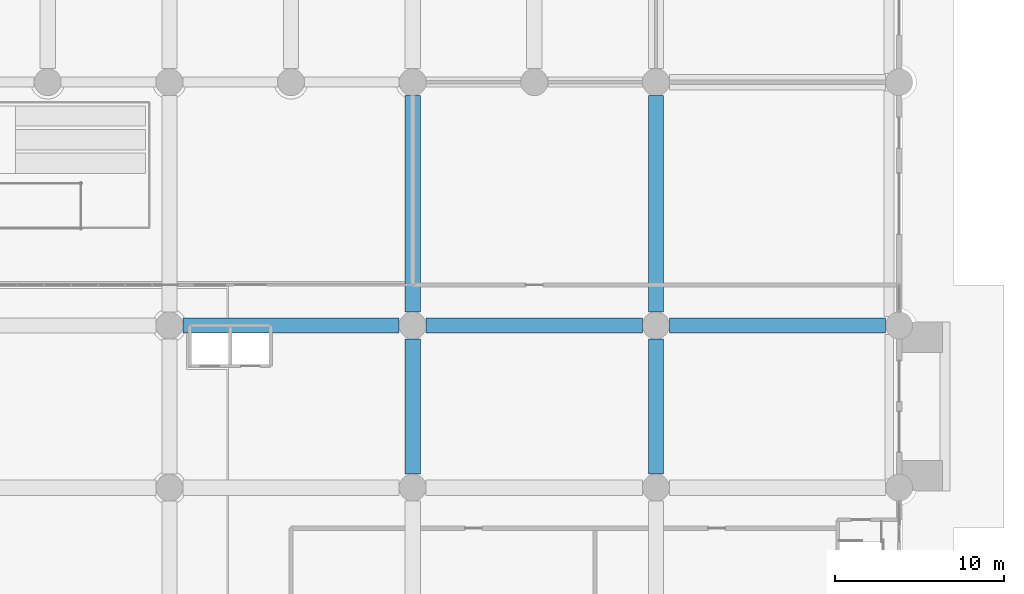
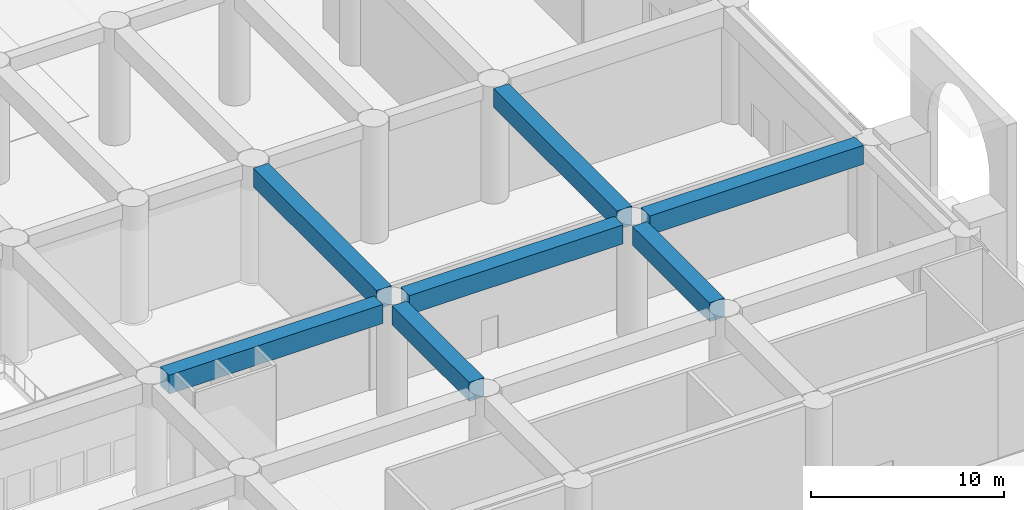
# One storey, part 6 of 32: 7 beams.
"""IFC4 building model written with IfcOpenShell, lengths in metres."""

from ifc_helpers import new_model, si_unit, direction, frame, origin, origin_2d, place, context, subcontext, project, spatial, rectangle, extrude, source, transform, mapped, material, material_profile, profile_set, type_object, element, save


model = new_model("IFC4")

# Units and contexts
model_context = context("Model", 3, precision=1e-05, world=origin(), true_north=direction((0.0, 1.0)))
body_context = subcontext(model_context, "Body", "Model", "MODEL_VIEW")
ifc_project = project(units=[si_unit("LENGTHUNIT", "METRE"), si_unit("AREAUNIT", "SQUARE_METRE"), si_unit("VOLUMEUNIT", "CUBIC_METRE"), si_unit("PLANEANGLEUNIT", "RADIAN"), si_unit("MASSUNIT", "GRAM", prefix="KILO")], contexts=[model_context])

# Site, building, storey
site_placement = place(None, origin())
site = spatial("IfcSite", under=ifc_project, at=site_placement, CompositionType="ELEMENT")
building_placement = place(site_placement, origin())
building = spatial("IfcBuilding", under=site, at=building_placement, Name="Saffron Iwan Residences", CompositionType="ELEMENT")
storey_placement = place(building_placement, origin())
storey = spatial("IfcBuildingStorey", under=building, at=storey_placement, Name="L00", CompositionType="ELEMENT", Elevation=0.0)

# Beams
ifc_material = material(Name="Concrete C50/60", Category="concrete")
ifc_material_profile = material_profile(ifc_material, rectangle(XDim=0.89990234375, YDim=1.199951171875, at=origin_2d()), Name="RC 900x1200")
ifc_profile_set = profile_set([ifc_material_profile], Name="Concrete C50/60")
beam_type = type_object("IfcBeamType", Name="BEAM RC 900x1200 C50/60 TOP 7400", PredefinedType="BEAM", material=ifc_profile_set)
shared_shape_1 = source(origin(), body_context, "Body", "SweptSolid", [
    extrude(rectangle(XDim=0.89990234375, YDim=1.199951171875, at=origin_2d()), origin(), (0.0, 0.0, 1.0), 8.0),
])
for number, where, z_axis, x_axis, name in (
    (1, (72.0, 10.39990234375, 6.800048828125), (0.0, 1.0, 0.0), (-1.0, 0.0, 0.0), "Floor beam"),
    (2, (86.39990234375, 10.39990234375, 6.800048828125), (0.0, 1.0, 0.0), (-1.0, 0.0, 0.0), "Floor beam"),
):
    element("IfcBeam", number, at=place(storey_placement, frame(where, z_axis=z_axis, x_axis=x_axis)), inside=storey, type_object=beam_type, Name=name, PredefinedType="BEAM", context=body_context, shape_type="MappedRepresentation", body=[
        mapped(shared_shape_1, transform((0.0, 0.0, 0.0))),
    ])
shared_shape_2 = source(origin(), body_context, "Body", "SweptSolid", [
    extrude(rectangle(XDim=0.89990234375, YDim=1.199951171875, at=origin_2d()), origin(), (0.0, 0.0, 1.0), 12.800048828125),
])
for number, where, z_axis, x_axis, name in (
    (3, (58.39990234375, 19.199951171875, 6.800048828125), (1.0, 0.0, 0.0), (0.0, 1.0, 0.0), "Floor beam"),
    (4, (72.800048828125, 19.199951171875, 6.800048828125), (1.0, 0.0, 0.0), (0.0, 1.0, 0.0), "Floor beam"),
    (5, (87.199951171875, 19.199951171875, 6.800048828125), (1.0, 0.0, 0.0), (0.0, 1.0, 0.0), "Floor beam"),
    (6, (72.0, 20.0, 6.800048828125), (0.0, 1.0, 0.0), (-1.0, 0.0, 0.0), "Floor beam"),
    (7, (86.39990234375, 20.0, 6.800048828125), (0.0, 1.0, 0.0), (-1.0, 0.0, 0.0), "Floor beam"),
):
    element("IfcBeam", number, at=place(storey_placement, frame(where, z_axis=z_axis, x_axis=x_axis)), inside=storey, type_object=beam_type, Name=name, PredefinedType="BEAM", context=body_context, shape_type="MappedRepresentation", body=[
        mapped(shared_shape_2, transform((0.0, 0.0, 0.0))),
    ])

save(model, "model.ifc")
